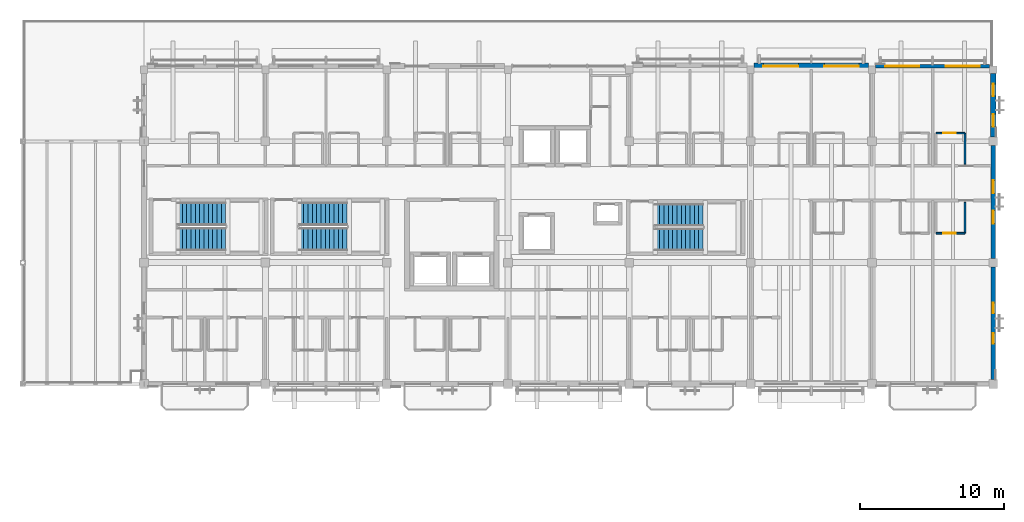
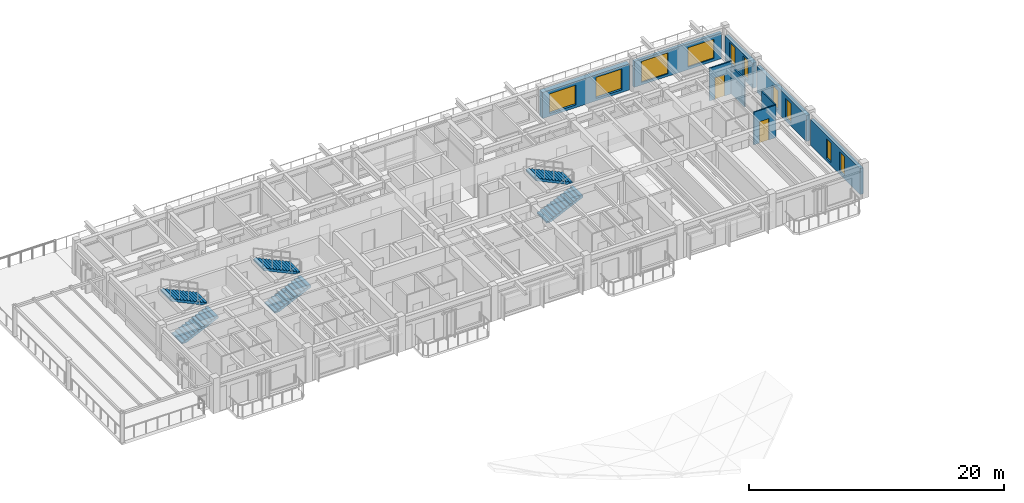
# One storey, part 15 of 22: 10 windows, 9 walls, 6 stair flights, 2 doors, 12 openings, 3 elements without a shape of their own.
"""IFC4 building model written with IfcOpenShell, lengths in metres."""

from ifc_helpers import new_model, si_unit, direction, frame, frame_2d, origin, place, context, subcontext, project, spatial, polyline, rectangle, outline, extrude, material, layer, layer_set, type_object, element, fill, aggregate, save


model = new_model("IFC4")

# Units and contexts
model_context = context("Model", 3, precision=1e-05, world=origin(), true_north=direction((0.0, 1.0)))
body_context = subcontext(model_context, "Body", "Model", "MODEL_VIEW")
ifc_project = project(units=[si_unit("LENGTHUNIT", "METRE"), si_unit("AREAUNIT", "SQUARE_METRE"), si_unit("VOLUMEUNIT", "CUBIC_METRE"), si_unit("PLANEANGLEUNIT", "RADIAN"), si_unit("MASSUNIT", "GRAM", prefix="KILO")], contexts=[model_context])

# Site, building, storey
site_placement = place(None, origin())
site = spatial("IfcSite", under=ifc_project, at=site_placement, CompositionType="ELEMENT")
building_placement = place(site_placement, origin())
building = spatial("IfcBuilding", under=site, at=building_placement, Name="Cumbredor Promenade Congress Hotel", CompositionType="ELEMENT")
storey_placement = place(building_placement, frame((0.0, 0.0, 28.56005859375)))
storey = spatial("IfcBuildingStorey", under=building, at=storey_placement, Name="L08", CompositionType="ELEMENT", Elevation=28.56005859375)

# Wall, opening, door
ifc_material_1 = material(Name="Moisture-resistant gypsum board on steel studs", Category="steel")
ifc_layer_1 = layer(ifc_material_1, 0.114990234375, Name="Moisture-resistant gypsum board on steel studs", Category="steel")
ifc_layer_set_1 = layer_set([ifc_layer_1], Name="Moisture-resistant gypsum board on steel studs")
wall_type_1 = type_object("IfcWallType", Name="WL-BATH-115", PredefinedType="PARTITIONING", material=ifc_layer_set_1)
wall_1_placement = place(storey_placement, frame((63.239990234375, 109.77001953125, 0.0), z_axis=(0.0, 0.0, 1.0), x_axis=(1.0, 0.0, 0.0)))
wall_1 = element("IfcWall", 1, at=wall_1_placement, inside=storey, type_object=wall_type_1, Name="L08 Interior Partition W-L08-BH-0811", PredefinedType="PARTITIONING", context=body_context, shape_type="SweptSolid", body=[
    extrude(rectangle(XDim=2.0, YDim=0.114990234375, at=frame_2d((1.0, 0.0))), origin(), (0.0, 0.0, 1.0), 3.119873046875),
])
opening_1_placement = place(wall_1_placement, frame((0.5, 0.0, 0.0)))
opening_1 = element("IfcOpeningElement", 2, at=opening_1_placement, cuts=wall_1, Name="Opening ID-01", PredefinedType="OPENING", context=body_context, shape_type="SweptSolid", body=[
    extrude(rectangle(XDim=0.860107421875, YDim=2.050048828125, at=frame_2d((0.43017578125, 1.02490234375))), frame((0.0, 0.0673828125, 0.0), z_axis=(0.0, -1.0, 0.0), x_axis=(1.0, 0.0, 0.0)), (0.0, 0.0, 1.0), 0.135009765625),
])
ifc_material_2 = material(Name="Kiln-dried tropical hardwood", Category="wood")
door_type = type_object("IfcDoorType", Name="DR-BATH-860", OperationType="NOTDEFINED", PredefinedType="DOOR", material=ifc_material_2)
door_1_placement = place(opening_1_placement, origin())
door_1 = element("IfcDoor", 3, at=door_1_placement, inside=storey, type_object=door_type, Name="L08 Interior Door W-L08-BH-0811-01", OperationType="SINGLE_SWING_LEFT", OverallHeight=2.050048828125, OverallWidth=0.860107421875, PredefinedType="DOOR", context=body_context, shape_type="SweptSolid", body=[
    extrude(rectangle(XDim=0.860107421875, YDim=2.050048828125, at=frame_2d((0.43017578125, 1.02490234375))), frame((0.0, 0.02490234375, 0.0), z_axis=(0.0, -1.0, 0.0), x_axis=(1.0, 0.0, 0.0)), (0.0, 0.0, 1.0), 0.050048828125),
])
fill(opening_1, door_1)

# Wall
wall_2_placement = place(storey_placement, frame((65.239990234375, 107.6201171875, 0.0), z_axis=(0.0, 0.0, 1.0), x_axis=(0.0, 1.0, 0.0)))
element("IfcWall", 4, at=wall_2_placement, inside=storey, type_object=wall_type_1, Name="L08 Interior Partition W-L08-BV2-0811", PredefinedType="PARTITIONING", context=body_context, shape_type="SweptSolid", body=[
    extrude(rectangle(XDim=2.14990234375, YDim=0.114990234375, at=frame_2d((1.074951171875, 0.0))), origin(), (0.0, 0.0, 1.0), 2.641845703125),
])

# Wall, opening, door
wall_3_placement = place(storey_placement, frame((63.239990234375, 102.830078125, 0.0), z_axis=(0.0, 0.0, 1.0), x_axis=(1.0, 0.0, 0.0)))
wall_3 = element("IfcWall", 5, at=wall_3_placement, inside=storey, type_object=wall_type_1, Name="L08 Interior Partition W-L08-BH-0814", PredefinedType="PARTITIONING", context=body_context, shape_type="SweptSolid", body=[
    extrude(rectangle(XDim=2.0, YDim=0.114990234375, at=frame_2d((1.0, 0.0))), origin(), (0.0, 0.0, 1.0), 3.119873046875),
])
opening_2_placement = place(wall_3_placement, frame((0.5, 0.0, 0.0)))
opening_2 = element("IfcOpeningElement", 6, at=opening_2_placement, cuts=wall_3, Name="Opening ID-01", PredefinedType="OPENING", context=body_context, shape_type="SweptSolid", body=[
    extrude(rectangle(XDim=0.860107421875, YDim=2.050048828125, at=frame_2d((0.43017578125, 1.02490234375))), frame((0.0, 0.0673828125, 0.0), z_axis=(0.0, -1.0, 0.0), x_axis=(1.0, 0.0, 0.0)), (0.0, 0.0, 1.0), 0.135009765625),
])
door_2_placement = place(opening_2_placement, origin())
door_2 = element("IfcDoor", 7, at=door_2_placement, inside=storey, type_object=door_type, Name="L08 Interior Door W-L08-BH-0814-01", OperationType="SINGLE_SWING_RIGHT", OverallHeight=2.050048828125, OverallWidth=0.860107421875, PredefinedType="DOOR", context=body_context, shape_type="SweptSolid", body=[
    extrude(rectangle(XDim=0.860107421875, YDim=2.050048828125, at=frame_2d((0.43017578125, 1.02490234375))), frame((0.0, 0.02490234375, 0.0), z_axis=(0.0, -1.0, 0.0), x_axis=(1.0, 0.0, 0.0)), (0.0, 0.0, 1.0), 0.050048828125),
])
fill(opening_2, door_2)

# Wall
wall_4_placement = place(storey_placement, frame((65.239990234375, 102.830078125, 0.0), z_axis=(0.0, 0.0, 1.0), x_axis=(0.0, 1.0, 0.0)))
element("IfcWall", 8, at=wall_4_placement, inside=storey, type_object=wall_type_1, Name="L08 Interior Partition W-L08-BV2-0814", PredefinedType="PARTITIONING", context=body_context, shape_type="SweptSolid", body=[
    extrude(rectangle(XDim=2.14990234375, YDim=0.114990234375, at=frame_2d((1.074951171875, 0.0))), origin(), (0.0, 0.0, 1.0), 3.119873046875),
])

# Wall, openings, windows
ifc_material_3 = material(Name="Concrete C40/50", Category="concrete")
ifc_layer_2 = layer(ifc_material_3, 0.260009765625, Name="Concrete C40/50", Category="concrete")
ifc_layer_set_2 = layer_set([ifc_layer_2], Name="Concrete C40/50")
wall_type_2 = type_object("IfcWallType", Name="WL-EXT-260", PredefinedType="SOLIDWALL", material=ifc_layer_set_2)
wall_5_placement = place(storey_placement, frame((59.051025390625, 114.39990234375, 0.0), z_axis=(0.0, 0.0, 1.0), x_axis=(1.0, 0.0, 0.0)))
wall_5 = element("IfcWall", 9, at=wall_5_placement, inside=storey, type_object=wall_type_2, Name="L08 Stepped Congress Hotel Wing North Envelope Wall 7", PredefinedType="SOLIDWALL", context=body_context, shape_type="SweptSolid", body=[
    extrude(rectangle(XDim=7.89794921875, YDim=0.260009765625, at=frame_2d((3.948974609375, 0.0))), origin(), (0.0, 0.0, 1.0), 2.493896484375),
])
opening_3_placement = place(wall_5_placement, frame((0.658935546875, 0.0, 0.25)))
opening_3 = element("IfcOpeningElement", 10, at=opening_3_placement, cuts=wall_5, Name="Opening WN-41", PredefinedType="OPENING", context=body_context, shape_type="SweptSolid", body=[
    extrude(rectangle(XDim=2.3798828125, YDim=2.0, at=frame_2d((1.18994140625, 1.0))), frame((0.0, 0.14013671875, 0.0), z_axis=(0.0, -1.0, 0.0), x_axis=(1.0, 0.0, 0.0)), (0.0, 0.0, 1.0), 0.280029296875),
])
opening_4_placement = place(wall_5_placement, frame((4.8740234375, 0.0, 0.25)))
opening_4 = element("IfcOpeningElement", 11, at=opening_4_placement, cuts=wall_5, Name="Opening WN-02", PredefinedType="OPENING", context=body_context, shape_type="SweptSolid", body=[
    extrude(rectangle(XDim=2.35009765625, YDim=1.85009765625, at=frame_2d((1.175048828125, 0.925048828125))), frame((0.0, 0.14013671875, 0.0), z_axis=(0.0, -1.0, 0.0), x_axis=(1.0, 0.0, 0.0)), (0.0, 0.0, 1.0), 0.280029296875),
])
ifc_material_4 = material(Name="Thermally broken anodized aluminium and low-E glass", Category="aluminium")
window_type_1 = type_object("IfcWindowType", Name="Hospitality Floor-to-Ceiling Window WN-02 2350x1850", PartitioningType="DOUBLE_PANEL_VERTICAL", PredefinedType="WINDOW", material=ifc_material_4)
window_1_placement = place(opening_4_placement, origin())
window_1 = element("IfcWindow", 12, at=window_1_placement, inside=storey, type_object=window_type_1, Name="L08 Wide Hospitality Window 0668", OverallHeight=1.85009765625, OverallWidth=2.35009765625, PartitioningType="DOUBLE_PANEL_VERTICAL", PredefinedType="WINDOW", context=body_context, shape_type="SweptSolid", body=[
    extrude(rectangle(XDim=2.35009765625, YDim=1.85009765625, at=frame_2d((1.175048828125, 0.925048828125))), frame((0.0, 0.030029296875, 0.0), z_axis=(0.0, -1.0, 0.0), x_axis=(1.0, 0.0, 0.0)), (0.0, 0.0, 1.0), 0.06005859375),
])
fill(opening_4, window_1)
window_type_2 = type_object("IfcWindowType", Name="Hospitality Floor-to-Ceiling Window WN-41 2380x2000", PartitioningType="DOUBLE_PANEL_VERTICAL", PredefinedType="WINDOW", material=ifc_material_4)
window_2_placement = place(opening_3_placement, origin())
window_2 = element("IfcWindow", 13, at=window_2_placement, inside=storey, type_object=window_type_2, Name="L08 Wide Hospitality Window 0667", OverallHeight=2.0, OverallWidth=2.3798828125, PartitioningType="DOUBLE_PANEL_VERTICAL", PredefinedType="WINDOW", context=body_context, shape_type="SweptSolid", body=[
    extrude(rectangle(XDim=2.3798828125, YDim=2.0, at=frame_2d((1.18994140625, 1.0))), frame((0.0, 0.030029296875, 0.0), z_axis=(0.0, -1.0, 0.0), x_axis=(1.0, 0.0, 0.0)), (0.0, 0.0, 1.0), 0.06005859375),
])
fill(opening_3, window_2)

ifc_layer_3 = layer(ifc_material_3, 0.300048828125, Name="Concrete C40/50", Category="concrete")
ifc_layer_set_3 = layer_set([ifc_layer_3], Name="Concrete C40/50")
wall_type_3 = type_object("IfcWallType", Name="WL-EXT-300", PredefinedType="SOLIDWALL", material=ifc_layer_set_3)
wall_6_placement = place(storey_placement, frame((67.199951171875, 92.700927734375, 0.0), z_axis=(0.0, 0.0, 1.0), x_axis=(0.0, 1.0, 0.0)))
wall_6 = element("IfcWall", 14, at=wall_6_placement, inside=storey, type_object=wall_type_3, Name="L08 Stepped Congress Hotel Wing East Envelope Wall 1", PredefinedType="SOLIDWALL", context=body_context, shape_type="SweptSolid", body=[
    extrude(rectangle(XDim=7.798095703125, YDim=0.300048828125, at=frame_2d((3.89892578125, 0.0))), origin(), (0.0, 0.0, 1.0), 2.493896484375),
])
opening_5_placement = place(wall_6_placement, frame((2.489013671875, 0.0, 0.300048828125)))
opening_5 = element("IfcOpeningElement", 15, at=opening_5_placement, cuts=wall_6, Name="Opening WN-45", PredefinedType="OPENING", context=body_context, shape_type="SweptSolid", body=[
    extrude(rectangle(XDim=0.719970703125, YDim=1.85009765625, at=frame_2d((0.35986328125, 0.925048828125))), frame((0.0, 0.16015625, 0.0), z_axis=(0.0, -1.0, 0.0), x_axis=(1.0, 0.0, 0.0)), (0.0, 0.0, 1.0), 0.320068359375),
])
opening_6_placement = place(wall_6_placement, frame((4.589111328125, 0.0, 0.300048828125)))
opening_6 = element("IfcOpeningElement", 16, at=opening_6_placement, cuts=wall_6, Name="Opening WN-45", PredefinedType="OPENING", context=body_context, shape_type="SweptSolid", body=[
    extrude(rectangle(XDim=0.719970703125, YDim=1.85009765625, at=frame_2d((0.35986328125, 0.925048828125))), frame((0.0, 0.16015625, 0.0), z_axis=(0.0, -1.0, 0.0), x_axis=(1.0, 0.0, 0.0)), (0.0, 0.0, 1.0), 0.320068359375),
])
window_type_3 = type_object("IfcWindowType", Name="Vertical Slot Window WN-45 720x1850", PartitioningType="SINGLE_PANEL", PredefinedType="WINDOW", material=ifc_material_4)
window_3_placement = place(opening_5_placement, origin())
window_3 = element("IfcWindow", 17, at=window_3_placement, inside=storey, type_object=window_type_3, Name="L08 Vertical Slot Window 0673", OverallHeight=1.85009765625, OverallWidth=0.719970703125, PartitioningType="SINGLE_PANEL", PredefinedType="WINDOW", context=body_context, shape_type="SweptSolid", body=[
    extrude(rectangle(XDim=0.719970703125, YDim=1.85009765625, at=frame_2d((0.35986328125, 0.925048828125))), frame((0.0, 0.030029296875, 0.0), z_axis=(0.0, -1.0, 0.0), x_axis=(1.0, 0.0, 0.0)), (0.0, 0.0, 1.0), 0.06005859375),
])
fill(opening_5, window_3)
window_4_placement = place(opening_6_placement, origin())
window_4 = element("IfcWindow", 18, at=window_4_placement, inside=storey, type_object=window_type_3, Name="L08 Vertical Slot Window 0674", OverallHeight=1.85009765625, OverallWidth=0.719970703125, PartitioningType="SINGLE_PANEL", PredefinedType="WINDOW", context=body_context, shape_type="SweptSolid", body=[
    extrude(rectangle(XDim=0.719970703125, YDim=1.85009765625, at=frame_2d((0.35986328125, 0.925048828125))), frame((0.0, 0.030029296875, 0.0), z_axis=(0.0, -1.0, 0.0), x_axis=(1.0, 0.0, 0.0)), (0.0, 0.0, 1.0), 0.06005859375),
])
fill(opening_6, window_4)

ifc_layer_4 = layer(ifc_material_3, 0.324951171875, Name="Concrete C40/50", Category="concrete")
ifc_layer_set_4 = layer_set([ifc_layer_4], Name="Concrete C40/50")
wall_type_4 = type_object("IfcWallType", Name="WL-EXT-325", PredefinedType="SOLIDWALL", material=ifc_layer_set_4)
wall_7_placement = place(storey_placement, frame((67.199951171875, 101.10107421875, 0.0), z_axis=(0.0, 0.0, 1.0), x_axis=(0.0, 1.0, 0.0)))
wall_7 = element("IfcWall", 19, at=wall_7_placement, inside=storey, type_object=wall_type_4, Name="L08 Stepped Congress Hotel Wing East Envelope Wall 2", PredefinedType="SOLIDWALL", context=body_context, shape_type="SweptSolid", body=[
    extrude(rectangle(XDim=7.7978515625, YDim=0.324951171875, at=frame_2d((3.89892578125, 0.0))), origin(), (0.0, 0.0, 1.0), 2.493896484375),
])
opening_7_placement = place(wall_7_placement, frame((2.39892578125, 0.0, 0.300048828125)))
opening_7 = element("IfcOpeningElement", 20, at=opening_7_placement, cuts=wall_7, Name="Opening WN-48", PredefinedType="OPENING", context=body_context, shape_type="SweptSolid", body=[
    extrude(rectangle(XDim=0.89990234375, YDim=1.85009765625, at=frame_2d((0.449951171875, 0.925048828125))), frame((0.0, 0.17236328125, 0.0), z_axis=(0.0, -1.0, 0.0), x_axis=(1.0, 0.0, 0.0)), (0.0, 0.0, 1.0), 0.344970703125),
])
opening_8_placement = place(wall_7_placement, frame((4.4990234375, 0.0, 0.300048828125)))
opening_8 = element("IfcOpeningElement", 21, at=opening_8_placement, cuts=wall_7, Name="Opening WN-48", PredefinedType="OPENING", context=body_context, shape_type="SweptSolid", body=[
    extrude(rectangle(XDim=0.89990234375, YDim=1.85009765625, at=frame_2d((0.449951171875, 0.925048828125))), frame((0.0, 0.17236328125, 0.0), z_axis=(0.0, -1.0, 0.0), x_axis=(1.0, 0.0, 0.0)), (0.0, 0.0, 1.0), 0.344970703125),
])
window_type_4 = type_object("IfcWindowType", Name="Vertical Slot Window WN-48 900x1850", PartitioningType="SINGLE_PANEL", PredefinedType="WINDOW", material=ifc_material_4)
window_5_placement = place(opening_7_placement, origin())
window_5 = element("IfcWindow", 22, at=window_5_placement, inside=storey, type_object=window_type_4, Name="L08 Vertical Slot Window 0675", OverallHeight=1.85009765625, OverallWidth=0.89990234375, PartitioningType="SINGLE_PANEL", PredefinedType="WINDOW", context=body_context, shape_type="SweptSolid", body=[
    extrude(rectangle(XDim=0.89990234375, YDim=1.85009765625, at=frame_2d((0.449951171875, 0.925048828125))), frame((0.0, 0.030029296875, 0.0), z_axis=(0.0, -1.0, 0.0), x_axis=(1.0, 0.0, 0.0)), (0.0, 0.0, 1.0), 0.06005859375),
])
fill(opening_7, window_5)
window_6_placement = place(opening_8_placement, origin())
window_6 = element("IfcWindow", 23, at=window_6_placement, inside=storey, type_object=window_type_4, Name="L08 Vertical Slot Window 0676", OverallHeight=1.85009765625, OverallWidth=0.89990234375, PartitioningType="SINGLE_PANEL", PredefinedType="WINDOW", context=body_context, shape_type="SweptSolid", body=[
    extrude(rectangle(XDim=0.89990234375, YDim=1.85009765625, at=frame_2d((0.449951171875, 0.925048828125))), frame((0.0, 0.030029296875, 0.0), z_axis=(0.0, -1.0, 0.0), x_axis=(1.0, 0.0, 0.0)), (0.0, 0.0, 1.0), 0.06005859375),
])
fill(opening_8, window_6)

ifc_layer_5 = layer(ifc_material_3, 0.35009765625, Name="Concrete C40/50", Category="concrete")
ifc_layer_set_5 = layer_set([ifc_layer_5], Name="Concrete C40/50")
wall_type_5 = type_object("IfcWallType", Name="WL-EXT-350", PredefinedType="SOLIDWALL", material=ifc_layer_set_5)
wall_8_placement = place(storey_placement, frame((67.199951171875, 109.5009765625, 0.0), z_axis=(0.0, 0.0, 1.0), x_axis=(0.0, 1.0, 0.0)))
wall_8 = element("IfcWall", 24, at=wall_8_placement, inside=storey, type_object=wall_type_5, Name="L08 Stepped Congress Hotel Wing East Envelope Wall 3", PredefinedType="SOLIDWALL", context=body_context, shape_type="SweptSolid", body=[
    extrude(rectangle(XDim=4.39794921875, YDim=0.35009765625, at=frame_2d((2.198974609375, 0.0))), origin(), (0.0, 0.0, 1.0), 2.409912109375),
])
opening_9_placement = place(wall_8_placement, frame((0.72412109375, 0.0, 0.300048828125)))
opening_9 = element("IfcOpeningElement", 25, at=opening_9_placement, cuts=wall_8, Name="Opening WN-67", PredefinedType="OPENING", context=body_context, shape_type="SweptSolid", body=[
    extrude(rectangle(XDim=0.85009765625, YDim=1.89990234375, at=frame_2d((0.425048828125, 0.949951171875))), frame((0.0, 0.18505859375, 0.0), z_axis=(0.0, -1.0, 0.0), x_axis=(1.0, 0.0, 0.0)), (0.0, 0.0, 1.0), 0.3701171875),
])
opening_10_placement = place(wall_8_placement, frame((2.823974609375, 0.0, 0.300048828125)))
opening_10 = element("IfcOpeningElement", 26, at=opening_10_placement, cuts=wall_8, Name="Opening WN-67", PredefinedType="OPENING", context=body_context, shape_type="SweptSolid", body=[
    extrude(rectangle(XDim=0.85009765625, YDim=1.89990234375, at=frame_2d((0.425048828125, 0.949951171875))), frame((0.0, 0.18505859375, 0.0), z_axis=(0.0, -1.0, 0.0), x_axis=(1.0, 0.0, 0.0)), (0.0, 0.0, 1.0), 0.3701171875),
])
window_type_5 = type_object("IfcWindowType", Name="Vertical Slot Window WN-67 850x1900", PartitioningType="SINGLE_PANEL", PredefinedType="WINDOW", material=ifc_material_4)
window_7_placement = place(opening_9_placement, origin())
window_7 = element("IfcWindow", 27, at=window_7_placement, inside=storey, type_object=window_type_5, Name="L08 Vertical Slot Window 0677", OverallHeight=1.89990234375, OverallWidth=0.85009765625, PartitioningType="SINGLE_PANEL", PredefinedType="WINDOW", context=body_context, shape_type="SweptSolid", body=[
    extrude(rectangle(XDim=0.85009765625, YDim=1.89990234375, at=frame_2d((0.425048828125, 0.949951171875))), frame((0.0, 0.030029296875, 0.0), z_axis=(0.0, -1.0, 0.0), x_axis=(1.0, 0.0, 0.0)), (0.0, 0.0, 1.0), 0.06005859375),
])
fill(opening_9, window_7)
window_8_placement = place(opening_10_placement, origin())
window_8 = element("IfcWindow", 28, at=window_8_placement, inside=storey, type_object=window_type_5, Name="L08 Vertical Slot Window 0678", OverallHeight=1.89990234375, OverallWidth=0.85009765625, PartitioningType="SINGLE_PANEL", PredefinedType="WINDOW", context=body_context, shape_type="SweptSolid", body=[
    extrude(rectangle(XDim=0.85009765625, YDim=1.89990234375, at=frame_2d((0.425048828125, 0.949951171875))), frame((0.0, 0.030029296875, 0.0), z_axis=(0.0, -1.0, 0.0), x_axis=(1.0, 0.0, 0.0)), (0.0, 0.0, 1.0), 0.06005859375),
])
fill(opening_10, window_8)

ifc_layer_6 = layer(ifc_material_3, 0.449951171875, Name="Concrete C40/50", Category="concrete")
ifc_layer_set_6 = layer_set([ifc_layer_6], Name="Concrete C40/50")
wall_type_6 = type_object("IfcWallType", Name="WL-EXT-450", PredefinedType="SOLIDWALL", material=ifc_layer_set_6)
wall_9_placement = place(storey_placement, frame((50.65087890625, 114.39990234375, 0.0), z_axis=(0.0, 0.0, 1.0), x_axis=(1.0, 0.0, 0.0)))
wall_9 = element("IfcWall", 29, at=wall_9_placement, inside=storey, type_object=wall_type_6, Name="L08 Stepped Congress Hotel Wing North Envelope Wall 6", PredefinedType="SOLIDWALL", context=body_context, shape_type="SweptSolid", body=[
    extrude(rectangle(XDim=7.898193359375, YDim=0.449951171875, at=frame_2d((3.94921875, 0.0))), origin(), (0.0, 0.0, 1.0), 2.493896484375),
])
opening_11_placement = place(wall_9_placement, frame((0.638916015625, 0.0, 0.25)))
opening_11 = element("IfcOpeningElement", 30, at=opening_11_placement, cuts=wall_9, Name="Opening WN-37", PredefinedType="OPENING", context=body_context, shape_type="SweptSolid", body=[
    extrude(rectangle(XDim=2.419921875, YDim=1.89990234375, at=frame_2d((1.2099609375, 0.949951171875))), frame((0.0, 0.23486328125, 0.0), z_axis=(0.0, -1.0, 0.0), x_axis=(1.0, 0.0, 0.0)), (0.0, 0.0, 1.0), 0.469970703125),
])
opening_12_placement = place(wall_9_placement, frame((4.85888671875, 0.0, 0.25)))
opening_12 = element("IfcOpeningElement", 31, at=opening_12_placement, cuts=wall_9, Name="Opening WN-41", PredefinedType="OPENING", context=body_context, shape_type="SweptSolid", body=[
    extrude(rectangle(XDim=2.3798828125, YDim=2.0, at=frame_2d((1.18994140625, 1.0))), frame((0.0, 0.23486328125, 0.0), z_axis=(0.0, -1.0, 0.0), x_axis=(1.0, 0.0, 0.0)), (0.0, 0.0, 1.0), 0.469970703125),
])
window_type_6 = type_object("IfcWindowType", Name="Hospitality Floor-to-Ceiling Window WN-37 2420x1900", PartitioningType="DOUBLE_PANEL_VERTICAL", PredefinedType="WINDOW", material=ifc_material_4)
window_9_placement = place(opening_11_placement, origin())
window_9 = element("IfcWindow", 32, at=window_9_placement, inside=storey, type_object=window_type_6, Name="L08 Wide Hospitality Window 0665", OverallHeight=1.89990234375, OverallWidth=2.419921875, PartitioningType="DOUBLE_PANEL_VERTICAL", PredefinedType="WINDOW", context=body_context, shape_type="SweptSolid", body=[
    extrude(rectangle(XDim=2.419921875, YDim=1.89990234375, at=frame_2d((1.2099609375, 0.949951171875))), frame((0.0, 0.030029296875, 0.0), z_axis=(0.0, -1.0, 0.0), x_axis=(1.0, 0.0, 0.0)), (0.0, 0.0, 1.0), 0.06005859375),
])
fill(opening_11, window_9)
window_10_placement = place(opening_12_placement, origin())
window_10 = element("IfcWindow", 33, at=window_10_placement, inside=storey, type_object=window_type_2, Name="L08 Wide Hospitality Window 0666", OverallHeight=2.0, OverallWidth=2.3798828125, PartitioningType="DOUBLE_PANEL_VERTICAL", PredefinedType="WINDOW", context=body_context, shape_type="SweptSolid", body=[
    extrude(rectangle(XDim=2.3798828125, YDim=2.0, at=frame_2d((1.18994140625, 1.0))), frame((0.0, 0.030029296875, 0.0), z_axis=(0.0, -1.0, 0.0), x_axis=(1.0, 0.0, 0.0)), (0.0, 0.0, 1.0), 0.06005859375),
])
fill(opening_12, window_10)

# Stair, stair flights
stair_type_1 = type_object("IfcStairType", Name="Protected Dog-Leg Exit Stair ST-T1 1550mm", PredefinedType="HALF_TURN_STAIR", material=ifc_material_3)
stair_1_placement = place(storey_placement, origin())
stair_1 = element("IfcStair", 34, at=stair_1_placement, inside=storey, type_object=stair_type_1, Name="L08 Protected Exit Stair ST-03", PredefinedType="HALF_TURN_STAIR")
stair_flight_type_1 = type_object("IfcStairFlightType", Name="Concrete Stair Flight SFL-T1 1550mm", PredefinedType="STRAIGHT", material=ifc_material_3)
stair_flight_1_placement = place(storey_placement, frame((43.800048828125, 102.39501953125, 0.0), z_axis=(0.0, 0.0, 1.0), x_axis=(1.0, 0.0, 0.0)))
stair_flight_1 = element("IfcStairFlight", 35, at=stair_flight_1_placement, type_object=stair_flight_type_1, Name="ST-03 flight 1", NumberOfRisers=12, NumberOfTreads=11, PredefinedType="STRAIGHT", RiserHeight=0.14, TreadLength=0.3, context=body_context, shape_type="SweptSolid", body=[
    extrude(outline(polyline([(0.0, 0.0), (0.0, 0.139892578125), (0.300048828125, 0.139892578125), (0.300048828125, 0.280029296875), (0.60009765625, 0.280029296875), (0.60009765625, 0.419921875), (0.89990234375, 0.419921875), (0.89990234375, 0.56005859375), (1.199951171875, 0.56005859375), (1.199951171875, 0.699951171875), (1.5, 0.699951171875), (1.5, 0.840087890625), (1.800048828125, 0.840087890625), (1.800048828125, 0.97998046875), (2.10009765625, 0.97998046875), (2.10009765625, 1.1201171875), (2.39990234375, 1.1201171875), (2.39990234375, 1.260009765625), (2.699951171875, 1.260009765625), (2.699951171875, 1.39990234375), (3.0, 1.39990234375), (3.0, 1.5400390625), (3.300048828125, 1.5400390625), (3.300048828125, 1.679931640625), (3.300048828125, 1.341552734375), (0.425537109375, 0.0), (0.0, 0.0)])), frame((0.0, 0.77490234375, 0.0), z_axis=(0.0, -1.0, 0.0), x_axis=(1.0, 0.0, 0.0)), (0.0, 0.0, 1.0), 1.550048828125),
])
stair_flight_2_placement = place(storey_placement, frame((47.10009765625, 104.094970703125, 1.679931640625), z_axis=(0.0, 0.0, 1.0), x_axis=(-1.0, 0.0, 0.0)))
stair_flight_2 = element("IfcStairFlight", 36, at=stair_flight_2_placement, type_object=stair_flight_type_1, Name="ST-03 flight 2", NumberOfRisers=12, NumberOfTreads=11, PredefinedType="STRAIGHT", RiserHeight=0.14, TreadLength=0.3, context=body_context, shape_type="SweptSolid", body=[
    extrude(outline(polyline([(0.0, 0.0), (0.0, 0.139892578125), (0.300048828125, 0.139892578125), (0.300048828125, 0.280029296875), (0.60009765625, 0.280029296875), (0.60009765625, 0.419921875), (0.89990234375, 0.419921875), (0.89990234375, 0.56005859375), (1.199951171875, 0.56005859375), (1.199951171875, 0.699951171875), (1.5, 0.699951171875), (1.5, 0.840087890625), (1.800048828125, 0.840087890625), (1.800048828125, 0.97998046875), (2.10009765625, 0.97998046875), (2.10009765625, 1.1201171875), (2.39990234375, 1.1201171875), (2.39990234375, 1.260009765625), (2.699951171875, 1.260009765625), (2.699951171875, 1.39990234375), (3.0, 1.39990234375), (3.0, 1.5400390625), (3.300048828125, 1.5400390625), (3.300048828125, 1.679931640625), (3.300048828125, 1.341552734375), (0.425537109375, 0.0), (0.0, 0.0)])), frame((0.0, 0.77490234375, 0.0), z_axis=(0.0, -1.0, 0.0), x_axis=(1.0, 0.0, 0.0)), (0.0, 0.0, 1.0), 1.550048828125),
])
aggregate(stair_1, [stair_flight_1, stair_flight_2])

stair_type_2 = type_object("IfcStairType", Name="Protected Dog-Leg Exit Stair ST-T2 1600mm", PredefinedType="HALF_TURN_STAIR", material=ifc_material_3)
stair_2_placement = place(storey_placement, origin())
stair_2 = element("IfcStair", 37, at=stair_2_placement, inside=storey, type_object=stair_type_2, Name="L08 Protected Exit Stair ST-01", PredefinedType="HALF_TURN_STAIR")
stair_flight_type_2 = type_object("IfcStairFlightType", Name="Concrete Stair Flight SFL-T2 1600mm", PredefinedType="STRAIGHT", material=ifc_material_3)
stair_flight_3_placement = place(storey_placement, frame((10.75, 102.419921875, 0.0), z_axis=(0.0, 0.0, 1.0), x_axis=(1.0, 0.0, 0.0)))
stair_flight_3 = element("IfcStairFlight", 38, at=stair_flight_3_placement, type_object=stair_flight_type_2, Name="ST-01 flight 1", NumberOfRisers=12, NumberOfTreads=11, PredefinedType="STRAIGHT", RiserHeight=0.14, TreadLength=0.3, context=body_context, shape_type="SweptSolid", body=[
    extrude(outline(polyline([(0.0, 0.0), (0.0, 0.139892578125), (0.300048828125, 0.139892578125), (0.300048828125, 0.280029296875), (0.60009765625, 0.280029296875), (0.60009765625, 0.419921875), (0.89990234375, 0.419921875), (0.89990234375, 0.56005859375), (1.199951171875, 0.56005859375), (1.199951171875, 0.699951171875), (1.5, 0.699951171875), (1.5, 0.840087890625), (1.800048828125, 0.840087890625), (1.800048828125, 0.97998046875), (2.10009765625, 0.97998046875), (2.10009765625, 1.1201171875), (2.39990234375, 1.1201171875), (2.39990234375, 1.260009765625), (2.699951171875, 1.260009765625), (2.699951171875, 1.39990234375), (3.0, 1.39990234375), (3.0, 1.5400390625), (3.300048828125, 1.5400390625), (3.300048828125, 1.679931640625), (3.300048828125, 1.341552734375), (0.425537109375, 0.0), (0.0, 0.0)])), frame((0.0, 0.800048828125, 0.0), z_axis=(0.0, -1.0, 0.0), x_axis=(1.0, 0.0, 0.0)), (0.0, 0.0, 1.0), 1.60009765625),
])
stair_flight_4_placement = place(storey_placement, frame((14.050048828125, 104.169921875, 1.679931640625), z_axis=(0.0, 0.0, 1.0), x_axis=(-1.0, 0.0, 0.0)))
stair_flight_4 = element("IfcStairFlight", 39, at=stair_flight_4_placement, type_object=stair_flight_type_2, Name="ST-01 flight 2", NumberOfRisers=12, NumberOfTreads=11, PredefinedType="STRAIGHT", RiserHeight=0.14, TreadLength=0.3, context=body_context, shape_type="SweptSolid", body=[
    extrude(outline(polyline([(0.0, 0.0), (0.0, 0.139892578125), (0.300048828125, 0.139892578125), (0.300048828125, 0.280029296875), (0.60009765625, 0.280029296875), (0.60009765625, 0.419921875), (0.89990234375, 0.419921875), (0.89990234375, 0.56005859375), (1.199951171875, 0.56005859375), (1.199951171875, 0.699951171875), (1.5, 0.699951171875), (1.5, 0.840087890625), (1.800048828125, 0.840087890625), (1.800048828125, 0.97998046875), (2.10009765625, 0.97998046875), (2.10009765625, 1.1201171875), (2.39990234375, 1.1201171875), (2.39990234375, 1.260009765625), (2.699951171875, 1.260009765625), (2.699951171875, 1.39990234375), (3.0, 1.39990234375), (3.0, 1.5400390625), (3.300048828125, 1.5400390625), (3.300048828125, 1.679931640625), (3.300048828125, 1.341552734375), (0.425537109375, 0.0), (0.0, 0.0)])), frame((0.0, 0.800048828125, 0.0), z_axis=(0.0, -1.0, 0.0), x_axis=(1.0, 0.0, 0.0)), (0.0, 0.0, 1.0), 1.60009765625),
])
aggregate(stair_2, [stair_flight_3, stair_flight_4])

stair_3_placement = place(storey_placement, origin())
stair_3 = element("IfcStair", 40, at=stair_3_placement, inside=storey, type_object=stair_type_2, Name="L08 Protected Exit Stair ST-02", PredefinedType="HALF_TURN_STAIR")
stair_flight_5_placement = place(storey_placement, frame((19.14990234375, 102.419921875, 0.0), z_axis=(0.0, 0.0, 1.0), x_axis=(1.0, 0.0, 0.0)))
stair_flight_5 = element("IfcStairFlight", 41, at=stair_flight_5_placement, type_object=stair_flight_type_2, Name="ST-02 flight 1", NumberOfRisers=12, NumberOfTreads=11, PredefinedType="STRAIGHT", RiserHeight=0.14, TreadLength=0.3, context=body_context, shape_type="SweptSolid", body=[
    extrude(outline(polyline([(0.0, 0.0), (0.0, 0.139892578125), (0.300048828125, 0.139892578125), (0.300048828125, 0.280029296875), (0.60009765625, 0.280029296875), (0.60009765625, 0.419921875), (0.89990234375, 0.419921875), (0.89990234375, 0.56005859375), (1.199951171875, 0.56005859375), (1.199951171875, 0.699951171875), (1.5, 0.699951171875), (1.5, 0.840087890625), (1.800048828125, 0.840087890625), (1.800048828125, 0.97998046875), (2.10009765625, 0.97998046875), (2.10009765625, 1.1201171875), (2.39990234375, 1.1201171875), (2.39990234375, 1.260009765625), (2.699951171875, 1.260009765625), (2.699951171875, 1.39990234375), (3.0, 1.39990234375), (3.0, 1.5400390625), (3.300048828125, 1.5400390625), (3.300048828125, 1.679931640625), (3.300048828125, 1.341552734375), (0.425537109375, 0.0), (0.0, 0.0)])), frame((0.0, 0.800048828125, 0.0), z_axis=(0.0, -1.0, 0.0), x_axis=(1.0, 0.0, 0.0)), (0.0, 0.0, 1.0), 1.60009765625),
])
stair_flight_6_placement = place(storey_placement, frame((22.449951171875, 104.169921875, 1.679931640625), z_axis=(0.0, 0.0, 1.0), x_axis=(-1.0, 0.0, 0.0)))
stair_flight_6 = element("IfcStairFlight", 42, at=stair_flight_6_placement, type_object=stair_flight_type_2, Name="ST-02 flight 2", NumberOfRisers=12, NumberOfTreads=11, PredefinedType="STRAIGHT", RiserHeight=0.14, TreadLength=0.3, context=body_context, shape_type="SweptSolid", body=[
    extrude(outline(polyline([(0.0, 0.0), (0.0, 0.139892578125), (0.300048828125, 0.139892578125), (0.300048828125, 0.280029296875), (0.60009765625, 0.280029296875), (0.60009765625, 0.419921875), (0.89990234375, 0.419921875), (0.89990234375, 0.56005859375), (1.199951171875, 0.56005859375), (1.199951171875, 0.699951171875), (1.5, 0.699951171875), (1.5, 0.840087890625), (1.800048828125, 0.840087890625), (1.800048828125, 0.97998046875), (2.10009765625, 0.97998046875), (2.10009765625, 1.1201171875), (2.39990234375, 1.1201171875), (2.39990234375, 1.260009765625), (2.699951171875, 1.260009765625), (2.699951171875, 1.39990234375), (3.0, 1.39990234375), (3.0, 1.5400390625), (3.300048828125, 1.5400390625), (3.300048828125, 1.679931640625), (3.300048828125, 1.341552734375), (0.425537109375, 0.0), (0.0, 0.0)])), frame((0.0, 0.800048828125, 0.0), z_axis=(0.0, -1.0, 0.0), x_axis=(1.0, 0.0, 0.0)), (0.0, 0.0, 1.0), 1.60009765625),
])
aggregate(stair_3, [stair_flight_5, stair_flight_6])

save(model, "model.ifc")
